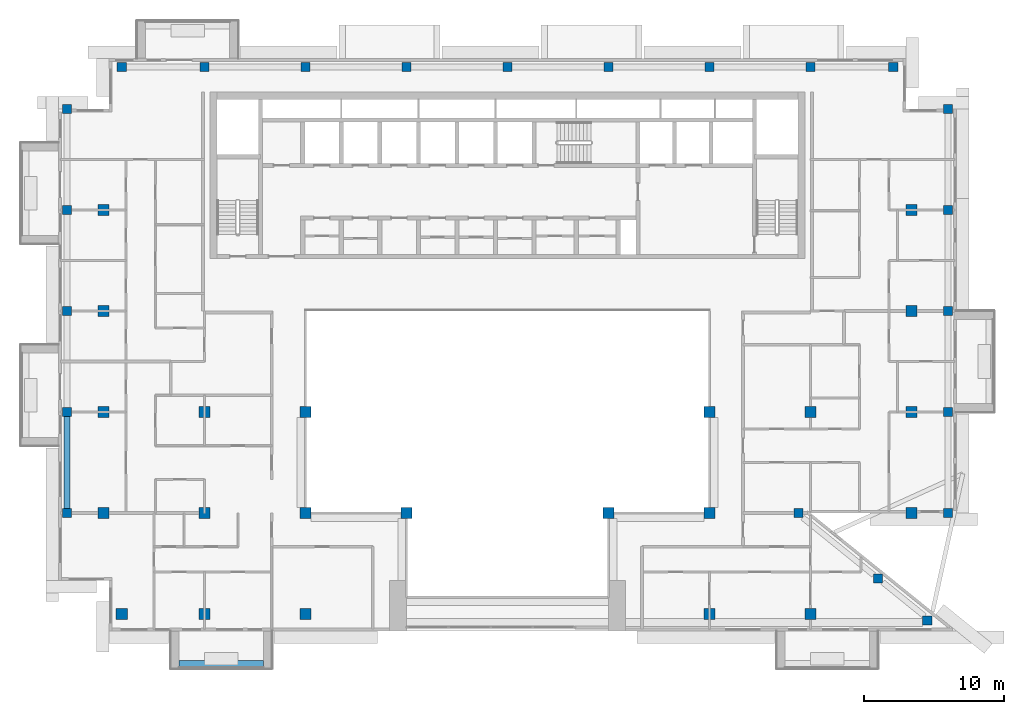
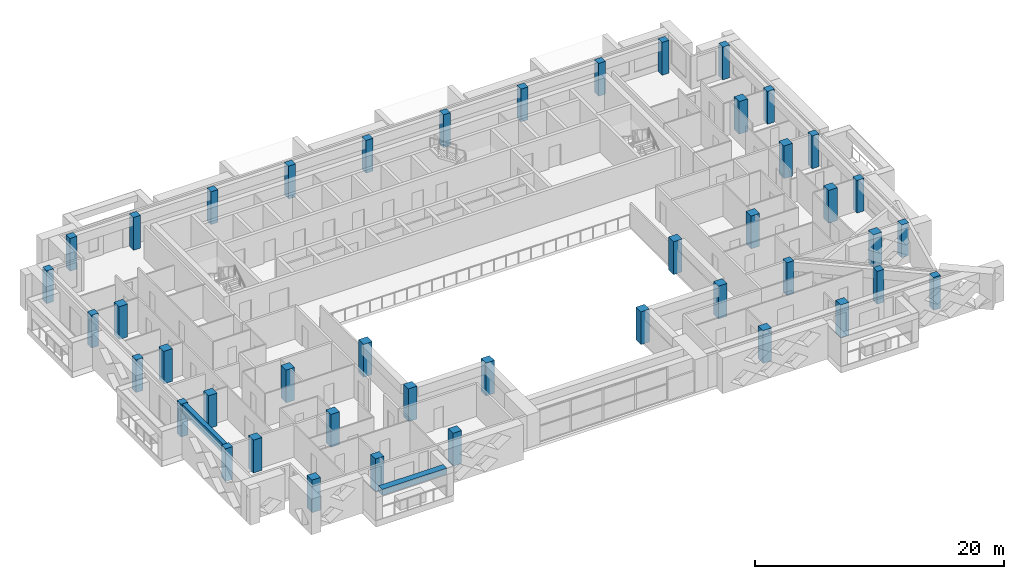
# One storey, part 1 of 19: 44 columns, 2 beams.
"""IFC4 building model written with IfcOpenShell, lengths in metres."""

from ifc_helpers import new_model, si_unit, direction, frame, origin, origin_2d, place, context, subcontext, project, spatial, rectangle, extrude, source, transform, mapped, material, material_profile, profile_set, type_object, element, save


model = new_model("IFC4")

# Units and contexts
model_context = context("Model", 3, precision=1e-05, world=origin(), true_north=direction((0.0, 1.0)))
body_context = subcontext(model_context, "Body", "Model", "MODEL_VIEW")
ifc_project = project(units=[si_unit("LENGTHUNIT", "METRE"), si_unit("AREAUNIT", "SQUARE_METRE"), si_unit("VOLUMEUNIT", "CUBIC_METRE"), si_unit("PLANEANGLEUNIT", "RADIAN"), si_unit("MASSUNIT", "GRAM", prefix="KILO")], contexts=[model_context])

# Site, building, storey
site_placement = place(None, origin())
site = spatial("IfcSite", under=ifc_project, at=site_placement, CompositionType="ELEMENT")
building_placement = place(site_placement, origin())
building = spatial("IfcBuilding", under=site, at=building_placement, Name="Saffron Iwan Residences", CompositionType="ELEMENT")
storey_placement = place(building_placement, frame((0.0, 0.0, 239.5)))
storey = spatial("IfcBuildingStorey", under=building, at=storey_placement, Name="L64", CompositionType="ELEMENT", Elevation=239.5)

# Columns
ifc_material_1 = material(Name="Concrete C40/50", Category="concrete")
ifc_material_profile_1 = material_profile(ifc_material_1, rectangle(XDim=0.64990234375, YDim=0.64990234375, at=origin_2d()), Name="RC 650x650")
ifc_profile_set_1 = profile_set([ifc_material_profile_1], Name="Concrete C40/50")
column_type_1 = type_object("IfcColumnType", Name="COL RC 650x650 C40/50 3220 HIGH", PredefinedType="COLUMN", material=ifc_profile_set_1)
shared_shape_1 = source(origin(), body_context, "Body", "SweptSolid", [
    extrude(rectangle(XDim=0.64990234375, YDim=0.64990234375, at=origin_2d()), origin(), (0.0, 0.0, 1.0), 3.219970703125),
])
for number, where, z_axis, x_axis, name in (
    (1, (80.32568359375, 40.3330078125, 0.0), (0.0, 0.0, 1.0), (1.0, 0.0, 0.0), "Column C046"),
    (2, (76.822998046875, 43.333251953125, 0.0), (0.0, 0.0, 1.0), (1.0, 0.0, 0.0), "Column C057"),
    (3, (19.0, 48.0, 0.0), (0.0, 0.0, 1.0), (1.0, 0.0, 0.0), "Column C062"),
    (4, (71.14990234375, 48.0, 0.0), (0.0, 0.0, 1.0), (1.0, 0.0, 0.0), "Column C070"),
    (5, (81.800048828125, 48.0, 0.0), (0.0, 0.0, 1.0), (1.0, 0.0, 0.0), "Column C073"),
    (6, (19.0, 55.199951171875, 0.0), (0.0, 0.0, 1.0), (1.0, 0.0, 0.0), "Column C078"),
    (7, (81.800048828125, 55.199951171875, 0.0), (0.0, 0.0, 1.0), (1.0, 0.0, 0.0), "Column C085"),
    (8, (19.0, 62.39990234375, 0.0), (0.0, 0.0, 1.0), (1.0, 0.0, 0.0), "Column C090"),
    (9, (81.800048828125, 62.39990234375, 0.0), (0.0, 0.0, 1.0), (1.0, 0.0, 0.0), "Column C093"),
    (10, (19.0, 69.60009765625, 0.0), (0.0, 0.0, 1.0), (1.0, 0.0, 0.0), "Column C098"),
    (11, (81.800048828125, 69.60009765625, 0.0), (0.0, 0.0, 1.0), (1.0, 0.0, 0.0), "Column C101"),
    (12, (19.0, 76.800048828125, 0.0), (0.0, 0.0, 1.0), (1.0, 0.0, 0.0), "Column C106"),
    (13, (81.800048828125, 76.800048828125, 0.0), (0.0, 0.0, 1.0), (1.0, 0.0, 0.0), "Column C109"),
    (14, (22.89990234375, 79.800048828125, 0.0), (0.0, 0.0, 1.0), (1.0, 0.0, 0.0), "Column C114"),
    (15, (28.800048828125, 79.800048828125, 0.0), (0.0, 0.0, 1.0), (1.0, 0.0, 0.0), "Column C115"),
    (16, (36.0, 79.800048828125, 0.0), (0.0, 0.0, 1.0), (1.0, 0.0, 0.0), "Column C116"),
    (17, (43.199951171875, 79.800048828125, 0.0), (0.0, 0.0, 1.0), (1.0, 0.0, 0.0), "Column C117"),
    (18, (50.39990234375, 79.800048828125, 0.0), (0.0, 0.0, 1.0), (1.0, 0.0, 0.0), "Column C118"),
    (19, (57.60009765625, 79.800048828125, 0.0), (0.0, 0.0, 1.0), (1.0, 0.0, 0.0), "Column C119"),
    (20, (64.800048828125, 79.800048828125, 0.0), (0.0, 0.0, 1.0), (1.0, 0.0, 0.0), "Column C120"),
    (21, (72.0, 79.800048828125, 0.0), (0.0, 0.0, 1.0), (1.0, 0.0, 0.0), "Column C121"),
    (22, (77.89990234375, 79.800048828125, 0.0), (0.0, 0.0, 1.0), (1.0, 0.0, 0.0), "Column C122"),
):
    element("IfcColumn", number, at=place(storey_placement, frame(where, z_axis=z_axis, x_axis=x_axis)), inside=storey, type_object=column_type_1, Name=name, PredefinedType="COLUMN", context=body_context, shape_type="MappedRepresentation", body=[
        mapped(shared_shape_1, transform((0.0, 0.0, 0.0))),
    ])
ifc_material_profile_2 = material_profile(ifc_material_1, rectangle(XDim=0.800048828125, YDim=0.800048828125, at=origin_2d()), Name="RC 800x800")
ifc_profile_set_2 = profile_set([ifc_material_profile_2], Name="Concrete C40/50")
column_type_2 = type_object("IfcColumnType", Name="COL RC 800x800 C40/50 3220 HIGH", PredefinedType="COLUMN", material=ifc_profile_set_2)
shared_shape_2 = source(origin(), body_context, "Body", "SweptSolid", [
    extrude(rectangle(XDim=0.800048828125, YDim=0.800048828125, at=origin_2d()), origin(), (0.0, 0.0, 1.0), 3.219970703125),
])
for number, where, z_axis, x_axis, name in (
    (23, (22.89990234375, 40.800048828125, 0.0), (0.0, 0.0, 1.0), (1.0, 0.0, 0.0), "Column C050"),
    (24, (28.800048828125, 40.800048828125, 0.0), (0.0, 0.0, 1.0), (1.0, 0.0, 0.0), "Column C051"),
    (25, (36.0, 40.800048828125, 0.0), (0.0, 0.0, 1.0), (1.0, 0.0, 0.0), "Column C052"),
    (26, (64.800048828125, 40.800048828125, 0.0), (0.0, 0.0, 1.0), (1.0, 0.0, 0.0), "Column C055"),
    (27, (72.0, 40.800048828125, 0.0), (0.0, 0.0, 1.0), (1.0, 0.0, 0.0), "Column C056"),
    (28, (21.60009765625, 48.0, 0.0), (0.0, 0.0, 1.0), (1.0, 0.0, 0.0), "Column C063"),
    (29, (28.800048828125, 48.0, 0.0), (0.0, 0.0, 1.0), (1.0, 0.0, 0.0), "Column C064"),
    (30, (36.0, 48.0, 0.0), (0.0, 0.0, 1.0), (1.0, 0.0, 0.0), "Column C065"),
    (31, (43.199951171875, 48.0, 0.0), (0.0, 0.0, 1.0), (1.0, 0.0, 0.0), "Column C066"),
    (32, (57.60009765625, 48.0, 0.0), (0.0, 0.0, 1.0), (1.0, 0.0, 0.0), "Column C068"),
    (33, (64.800048828125, 48.0, 0.0), (0.0, 0.0, 1.0), (1.0, 0.0, 0.0), "Column C069"),
    (34, (79.199951171875, 48.0, 0.0), (0.0, 0.0, 1.0), (1.0, 0.0, 0.0), "Column C072"),
    (35, (21.60009765625, 55.199951171875, 0.0), (0.0, 0.0, 1.0), (1.0, 0.0, 0.0), "Column C079"),
    (36, (28.800048828125, 55.199951171875, 0.0), (0.0, 0.0, 1.0), (1.0, 0.0, 0.0), "Column C080"),
    (37, (36.0, 55.199951171875, 0.0), (0.0, 0.0, 1.0), (1.0, 0.0, 0.0), "Column C081"),
    (38, (64.800048828125, 55.199951171875, 0.0), (0.0, 0.0, 1.0), (1.0, 0.0, 0.0), "Column C082"),
    (39, (72.0, 55.199951171875, 0.0), (0.0, 0.0, 1.0), (1.0, 0.0, 0.0), "Column C083"),
    (40, (79.199951171875, 55.199951171875, 0.0), (0.0, 0.0, 1.0), (1.0, 0.0, 0.0), "Column C084"),
    (41, (21.60009765625, 62.39990234375, 0.0), (0.0, 0.0, 1.0), (1.0, 0.0, 0.0), "Column C091"),
    (42, (79.199951171875, 62.39990234375, 0.0), (0.0, 0.0, 1.0), (1.0, 0.0, 0.0), "Column C092"),
    (43, (21.60009765625, 69.60009765625, 0.0), (0.0, 0.0, 1.0), (1.0, 0.0, 0.0), "Column C099"),
    (44, (79.199951171875, 69.60009765625, 0.0), (0.0, 0.0, 1.0), (1.0, 0.0, 0.0), "Column C100"),
):
    element("IfcColumn", number, at=place(storey_placement, frame(where, z_axis=z_axis, x_axis=x_axis)), inside=storey, type_object=column_type_2, Name=name, PredefinedType="COLUMN", context=body_context, shape_type="MappedRepresentation", body=[
        mapped(shared_shape_2, transform((0.0, 0.0, 0.0))),
    ])

# Beams
ifc_material_profile_3 = material_profile(ifc_material_1, rectangle(XDim=0.39990234375, YDim=0.89990234375, at=origin_2d()), Name="RC 400x900")
ifc_profile_set_3 = profile_set([ifc_material_profile_3], Name="Concrete C40/50")
beam_type_1 = type_object("IfcBeamType", Name="SPANDREL BEAM RC 400x900 C40/50 TOP 3220", PredefinedType="SPANDREL", material=ifc_profile_set_3)
shared_shape_3 = source(origin(), body_context, "Body", "SweptSolid", [
    extrude(rectangle(XDim=0.39990234375, YDim=0.89990234375, at=origin_2d()), origin(), (0.0, 0.0, 1.0), 6.550048828125),
])
beam_1_placement = place(storey_placement, frame((19.0, 48.324951171875, 2.77001953125), z_axis=(0.0, 1.0, 0.0), x_axis=(-1.0, 0.0, 0.0)))
element("IfcBeam", 45, at=beam_1_placement, inside=storey, type_object=beam_type_1, Name="Spandrel beam", PredefinedType="SPANDREL", context=body_context, shape_type="MappedRepresentation", body=[
    mapped(shared_shape_3, transform((0.0, 0.0, 0.0))),
])
ifc_material_2 = material(Name="Concrete C50/60 white painted", Category="concrete")
ifc_material_profile_4 = material_profile(ifc_material_2, rectangle(XDim=0.60009765625, YDim=0.60009765625, at=origin_2d()), Name="BALCONY FASCIA BEAM 600 x 600")
ifc_profile_set_4 = profile_set([ifc_material_profile_4], Name="Concrete C50/60 white painted")
beam_type_2 = type_object("IfcBeamType", Name="BALCONY FASCIA BEAM 600 x 600", PredefinedType="BEAM", material=ifc_profile_set_4)
shared_shape_4 = source(origin(), body_context, "Body", "SweptSolid", [
    extrude(rectangle(XDim=0.60009765625, YDim=0.60009765625, at=origin_2d()), origin(), (0.0, 0.0, 1.0), 6.0),
])
beam_2_placement = place(storey_placement, frame((27.0, 37.199951171875, 2.550048828125), z_axis=(1.0, 0.0, 0.0), x_axis=(0.0, 1.0, 0.0)))
element("IfcBeam", 46, at=beam_2_placement, inside=storey, type_object=beam_type_2, Name="Balcony fascia beam L64 11-0", PredefinedType="BEAM", context=body_context, shape_type="MappedRepresentation", body=[
    mapped(shared_shape_4, transform((0.0, 0.0, 0.0))),
])

save(model, "model.ifc")
